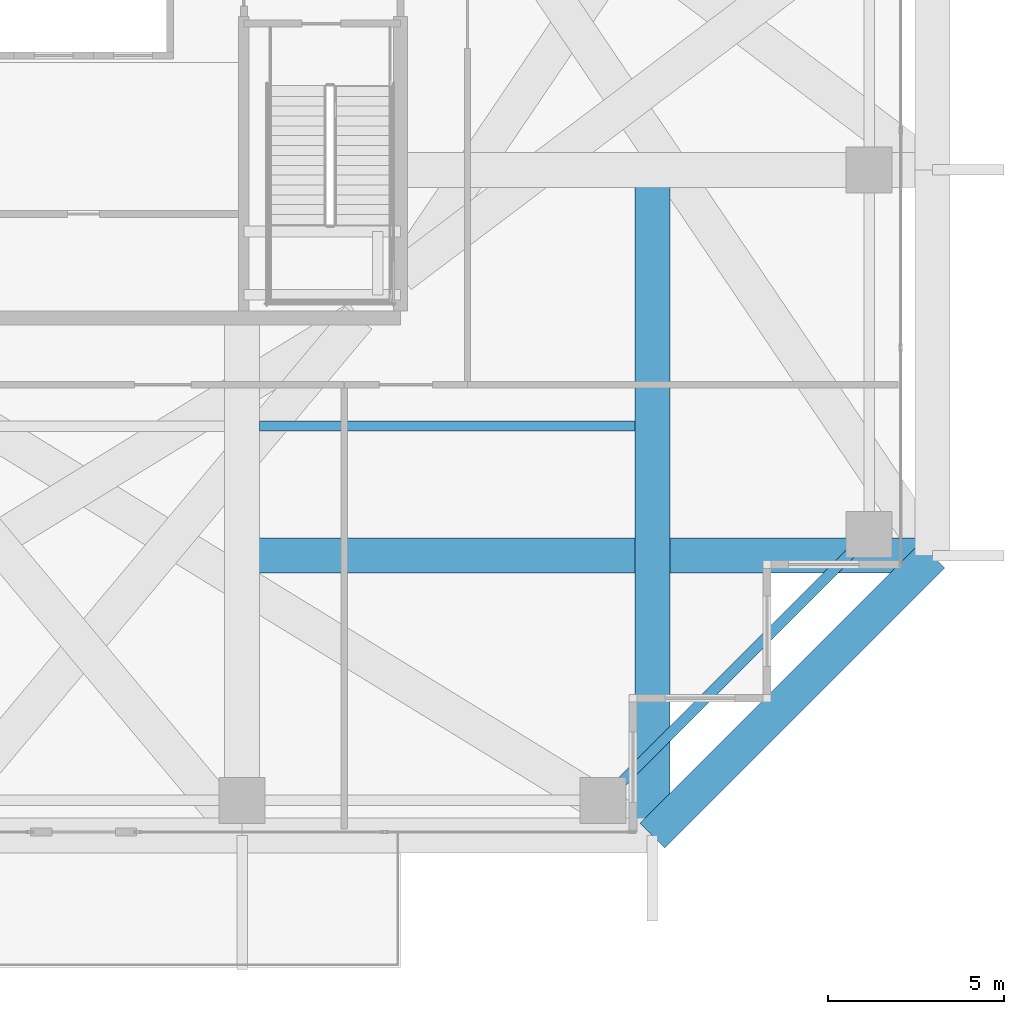
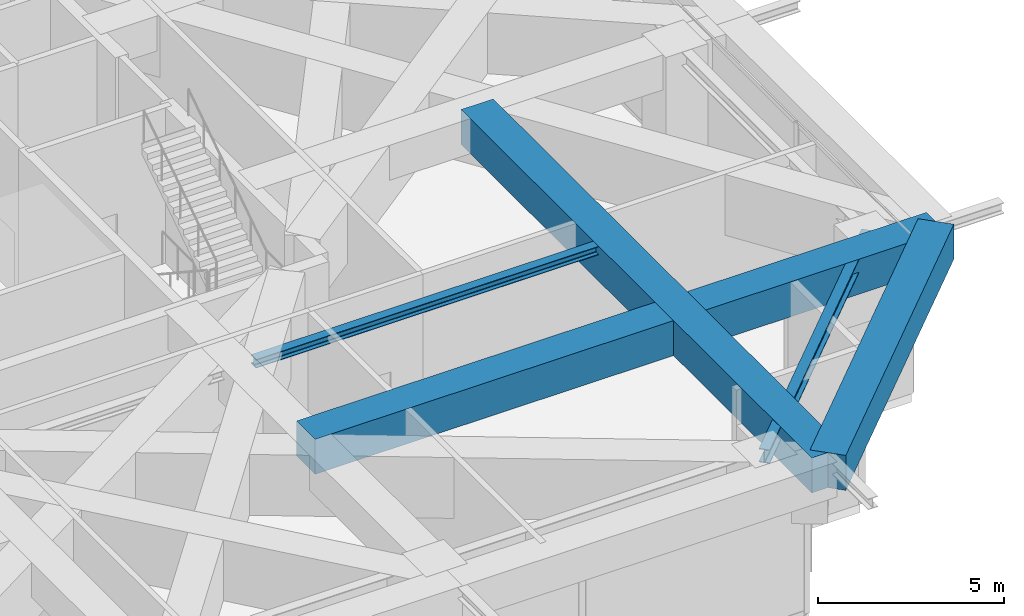
# One storey, part 12 of 38: 5 beams.
"""IFC4 building model written with IfcOpenShell, lengths in metres."""

from ifc_helpers import new_model, si_unit, direction, frame, origin, origin_2d, place, context, subcontext, project, spatial, rectangle, i_section, extrude, source, transform, mapped, material, material_profile, profile_set, type_object, element, save


model = new_model("IFC4")

# Units and contexts
model_context = context("Model", 3, precision=1e-05, world=origin(), true_north=direction((0.0, 1.0)))
body_context = subcontext(model_context, "Body", "Model", "MODEL_VIEW")
ifc_project = project(units=[si_unit("LENGTHUNIT", "METRE"), si_unit("AREAUNIT", "SQUARE_METRE"), si_unit("VOLUMEUNIT", "CUBIC_METRE"), si_unit("PLANEANGLEUNIT", "RADIAN"), si_unit("MASSUNIT", "GRAM", prefix="KILO")], contexts=[model_context])

# Site, building, storey
site_placement = place(None, origin())
site = spatial("IfcSite", under=ifc_project, at=site_placement, CompositionType="ELEMENT")
building_placement = place(site_placement, origin())
building = spatial("IfcBuilding", under=site, at=building_placement, Name="Serunith Strait Residences", CompositionType="ELEMENT")
storey_placement = place(building_placement, frame((0.0, 0.0, 204.89990234375)))
storey = spatial("IfcBuildingStorey", under=building, at=storey_placement, Name="L51", CompositionType="ELEMENT", Elevation=204.89990234375)

# Beams
ifc_material_1 = material(Name="Concrete C80/95", Category="concrete")
ifc_material_profile_1 = material_profile(ifc_material_1, rectangle(XDim=1.0, YDim=1.14990234375, at=origin_2d()), Name="RC 1000x1150")
ifc_profile_set_1 = profile_set([ifc_material_profile_1], Name="Concrete C80/95")
beam_type_1 = type_object("IfcBeamType", Name="BM-XFER-1000x1150", PredefinedType="BEAM", material=ifc_profile_set_1)
shared_shape_1 = source(origin(), body_context, "Body", "SweptSolid", [
    extrude(rectangle(XDim=1.0, YDim=1.14990234375, at=origin_2d()), origin(), (0.0, 0.0, 1.0), 11.242919921875),
])
beam_1_placement = place(storey_placement, frame((48.550048828125, 2.10009765625, 4.53515625), z_axis=(0.707106781187, 0.707106781187, 0.0), x_axis=(-0.707106781187, 0.707106781187, 0.0)))
element("IfcBeam", 1, at=beam_1_placement, inside=storey, type_object=beam_type_1, Name="L51 Flare Upper Ring Transfer Girder 04", PredefinedType="BEAM", context=body_context, shape_type="MappedRepresentation", body=[
    mapped(shared_shape_1, transform((0.0, 0.0, 0.0), scale=1.0)),
])
ifc_material_2 = material(Name="Steel S355J2", Category="steel")
ifc_material_profile_2 = material_profile(ifc_material_2, i_section(OverallWidth=0.300048828125, OverallDepth=0.449951171875, WebThickness=0.013916015625, FlangeThickness=0.02587890625, FilletRadius=0.027099609375, at=origin_2d()), Name="HEB 450")
ifc_profile_set_2 = profile_set([ifc_material_profile_2], Name="Steel S355J2")
beam_type_2 = type_object("IfcBeamType", Name="BM-HEB450", PredefinedType="BEAM", material=ifc_profile_set_2)
shared_shape_2 = source(origin(), body_context, "Body", "SweptSolid", [
    extrude(i_section(OverallWidth=0.300048828125, OverallDepth=0.449951171875, WebThickness=0.013916015625, FlangeThickness=0.02587890625, FilletRadius=0.027099609375, at=origin_2d()), origin(), (0.0, 0.0, 1.0), 10.67724609375),
])
beam_2_placement = place(storey_placement, frame((47.14990234375, 3.10009765625, 4.882080078125), z_axis=(0.707118213887, 0.707095348302, 0.0), x_axis=(-0.707095348302, 0.707118213887, 0.0)))
element("IfcBeam", 2, at=beam_2_placement, inside=storey, type_object=beam_type_2, Name="L51 Perimeter Ring Beam 04", PredefinedType="BEAM", context=body_context, shape_type="MappedRepresentation", body=[
    mapped(shared_shape_2, transform((0.0, 0.0, 0.0), scale=1.0)),
])
shared_shape_3 = source(origin(), body_context, "Body", "SweptSolid", [
    extrude(rectangle(XDim=1.0, YDim=1.14990234375, at=origin_2d()), origin(), (0.0, 0.0, 1.0), 18.89990234375),
])
beam_3_placement = place(storey_placement, frame((48.550048828125, 21.0, 4.53515625), z_axis=(0.0, -1.0, 0.0), x_axis=(1.0, 0.0, 0.0)))
element("IfcBeam", 3, at=beam_3_placement, inside=storey, type_object=beam_type_1, Name="L51 Orthogonal Corner Girder TC-S4", PredefinedType="BEAM", context=body_context, shape_type="MappedRepresentation", body=[
    mapped(shared_shape_3, transform((0.0, 0.0, 0.0), scale=1.0)),
])
shared_shape_4 = source(origin(), body_context, "Body", "SweptSolid", [
    extrude(rectangle(XDim=1.0, YDim=1.14990234375, at=origin_2d()), origin(), (0.0, 0.0, 1.0), 19.60009765625),
])
beam_4_placement = place(storey_placement, frame((36.89990234375, 10.050048828125, 4.53515625), z_axis=(1.0, 0.0, 0.0), x_axis=(0.0, 1.0, 0.0)))
element("IfcBeam", 4, at=beam_4_placement, inside=storey, type_object=beam_type_1, Name="L51 Orthogonal Corner Girder TC-E1", PredefinedType="BEAM", context=body_context, shape_type="MappedRepresentation", body=[
    mapped(shared_shape_4, transform((0.0, 0.0, 0.0), scale=1.0)),
])
ifc_material_profile_3 = material_profile(ifc_material_2, i_section(OverallWidth=0.280029296875, OverallDepth=0.280029296875, WebThickness=0.010498046875, FlangeThickness=0.01806640625, FilletRadius=0.02392578125, at=origin_2d()), Name="HEB 280")
ifc_profile_set_3 = profile_set([ifc_material_profile_3], Name="Steel S355J2")
beam_type_3 = type_object("IfcBeamType", Name="BM-HEB280", PredefinedType="JOIST", material=ifc_profile_set_3)
shared_shape_5 = source(origin(), body_context, "Body", "SweptSolid", [
    extrude(i_section(OverallWidth=0.280029296875, OverallDepth=0.280029296875, WebThickness=0.010498046875, FlangeThickness=0.01806640625, FilletRadius=0.02392578125, at=origin_2d()), origin(), (0.0, 0.0, 1.0), 10.650146484375),
])
beam_5_placement = place(storey_placement, frame((37.39990234375, 13.72509765625, 4.967041015625), z_axis=(1.0, 0.0, 0.0), x_axis=(0.0, 1.0, 0.0)))
element("IfcBeam", 5, at=beam_5_placement, inside=storey, type_object=beam_type_3, Name="L51 Composite Floor Joist 03", PredefinedType="JOIST", context=body_context, shape_type="MappedRepresentation", body=[
    mapped(shared_shape_5, transform((0.0, 0.0, 0.0), scale=1.0)),
])

save(model, "model.ifc")
